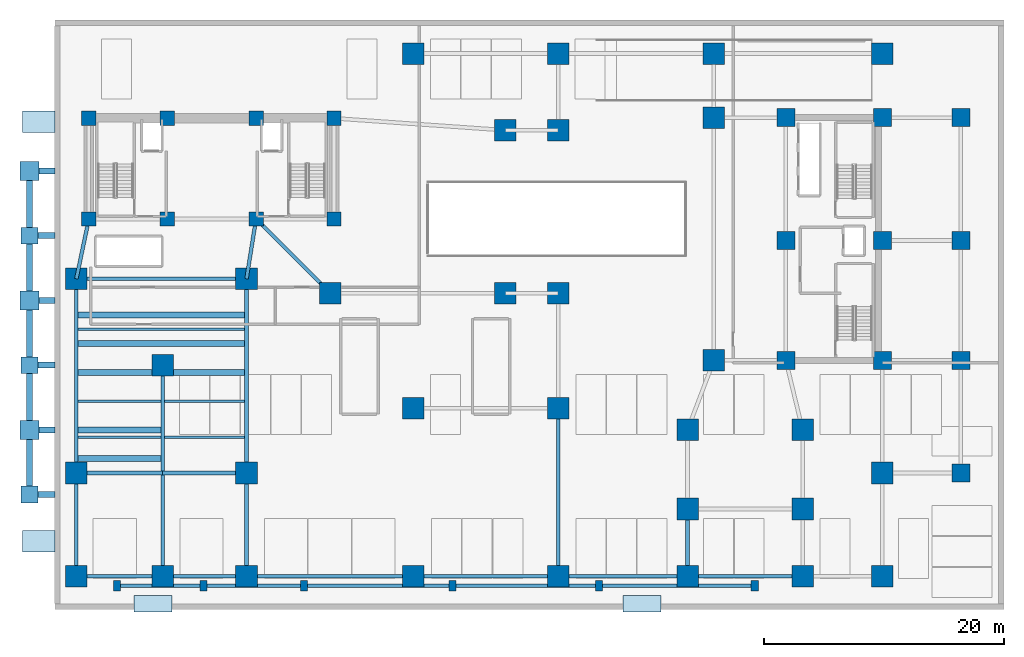
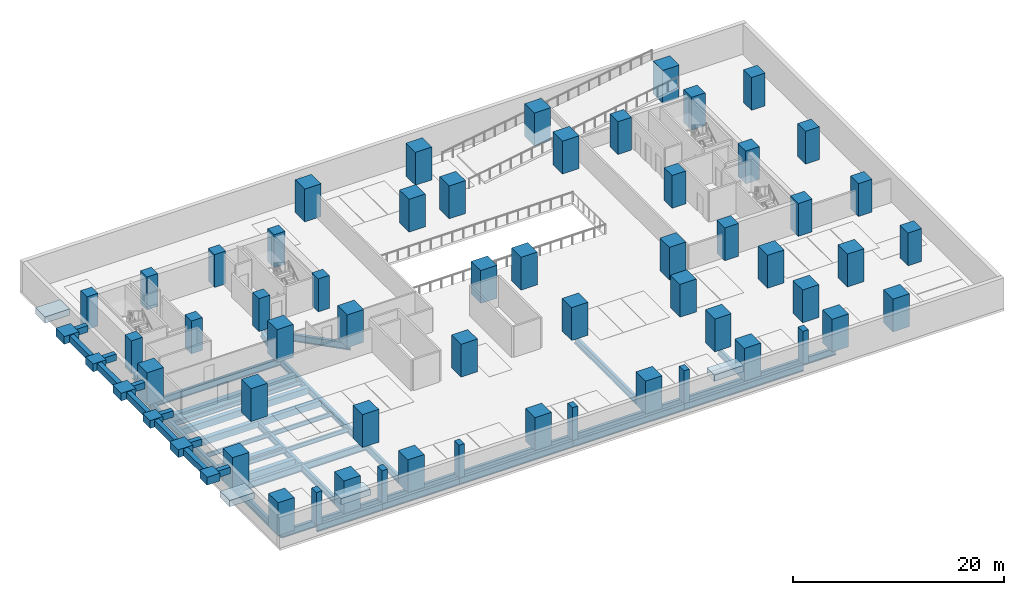
# One storey, part 1 of 9: 55 columns, 33 beams, 21 footings.
"""IFC4 building model written with IfcOpenShell, lengths in metres."""

import ifcopenshell
import ifcopenshell.guid

model = None  # the IFC model being written
_history = None  # IfcOwnerHistory: only IFC2X3 demands one
_inside = {}  # id of a spatial element -> (the spatial element, [elements in it])
_under = {}  # id of a project, library or spatial element -> (it, [spatial elements below it])
_declared = {}  # id of a project -> (the project, [libraries it declares])
_typed = {}  # id of a type object -> (the type object, [elements of that type])
_made_of = {}  # id of a material, layer set ... -> (it, [elements and type objects made of it])


def new_model(schema):
    """Start an empty IFC model of exactly this schema.

    Asked for "IFC4X3", IfcOpenShell would pick the latest addendum, in which some entities
    have other attributes; the version numbers below select the first issue.
    IFC2X3 requires an IfcOwnerHistory on every rooted entity: one is made here for all.
    """
    global model, _history
    if schema == "IFC4X3":
        model = ifcopenshell.file(schema_version=(4, 3, 0, 0))
    else:
        model = ifcopenshell.file(schema=schema)
    _inside.clear()
    _under.clear()
    _declared.clear()
    _typed.clear()
    _made_of.clear()
    _history = None
    if model.schema == "IFC2X3":
        org = make("IfcOrganization", Name="unknown")
        user = make(
            "IfcPersonAndOrganization",
            ThePerson=make("IfcPerson", FamilyName="unknown"),
            TheOrganization=org,
        )
        app = make(
            "IfcApplication",
            ApplicationDeveloper=org,
            Version="unknown",
            ApplicationFullName="unknown",
            ApplicationIdentifier="unknown",
        )
        _history = make(
            "IfcOwnerHistory",
            OwningUser=user,
            OwningApplication=app,
            ChangeAction="ADDED",
            CreationDate=0,
        )
    return model


def make(cls, **values):
    """One entity of the class cls with the attributes given. An attribute that is None is left unset."""
    return model.create_entity(
        cls, **{name: value for name, value in values.items() if value is not None}
    )


def rooted(cls, **values):
    """An entity with a GlobalId (a new one), such as an element, a storey or a relation."""
    return make(cls, GlobalId=ifcopenshell.guid.new(), OwnerHistory=_history, **values)


def si_unit(unit_type, name, prefix=None):
    """IfcSIUnit, for example si_unit("LENGTHUNIT", "METRE", prefix="MILLI")."""
    return make("IfcSIUnit", UnitType=unit_type, Prefix=prefix, Name=name)


def assignment(units):
    """IfcUnitAssignment: the units of a project."""
    return None if units is None else make("IfcUnitAssignment", Units=units)


def point(xyz):
    """IfcCartesianPoint."""
    return None if xyz is None else make("IfcCartesianPoint", Coordinates=xyz)


def direction(xyz):
    """IfcDirection."""
    return None if xyz is None else make("IfcDirection", DirectionRatios=xyz)


def frame(location, z_axis=None, x_axis=None):
    """IfcAxis2Placement3D, a coordinate frame: its origin and axes. An axis left out is left unset."""
    return make(
        "IfcAxis2Placement3D",
        Location=point(location),
        Axis=direction(z_axis),
        RefDirection=direction(x_axis),
    )


def frame_2d(location, x_axis=None):
    """IfcAxis2Placement2D, a coordinate frame in the plane: its origin and x axis."""
    return make(
        "IfcAxis2Placement2D", Location=point(location), RefDirection=direction(x_axis)
    )


def origin():
    """The frame at (0, 0, 0) with its axes left unset."""
    return frame((0.0, 0.0, 0.0))


def origin_2d():
    """The frame at (0, 0) in the plane with its x axis left unset."""
    return frame_2d((0.0, 0.0))


def place(relative_to, where):
    """IfcLocalPlacement: puts the frame where relative to a parent placement (None: the world)."""
    return make(
        "IfcLocalPlacement", PlacementRelTo=relative_to, RelativePlacement=where
    )


def context(
    kind, dimensions, precision=None, world=None, true_north=None, identifier=None
):
    """IfcGeometricRepresentationContext, for example the 3D "Model" context."""
    return make(
        "IfcGeometricRepresentationContext",
        ContextIdentifier=identifier,
        ContextType=kind,
        CoordinateSpaceDimension=dimensions,
        Precision=precision,
        WorldCoordinateSystem=world,
        TrueNorth=true_north,
    )


def subcontext(parent, identifier, kind, view, scale=None):
    """IfcGeometricRepresentationSubContext, for example "Body" below "Model"."""
    return make(
        "IfcGeometricRepresentationSubContext",
        ContextIdentifier=identifier,
        ContextType=kind,
        ParentContext=parent,
        TargetScale=scale,
        TargetView=view,
    )


def project(units=None, contexts=None):
    """IfcProject with its units and contexts."""
    return rooted(
        "IfcProject",
        Name="project",
        RepresentationContexts=contexts,
        UnitsInContext=assignment(units),
    )


def spatial(cls, under=None, at=None, **own):
    """A site, building, storey or space (cls), placed at a placement, below another one or the project."""
    s = rooted(cls, ObjectPlacement=at, **own)
    if under is not None:
        _under.setdefault(under.id(), (under, []))[1].append(s)
    return s


def profile(cls, at=None, kind="AREA", **sizes):
    """A parametric profile (cls). Its sizes go by their IFC names, for example OverallWidth=200.0."""
    return make(cls, ProfileType=kind, Position=at, **sizes)


def rectangle(**sizes):
    """IfcRectangleProfileDef."""
    return profile("IfcRectangleProfileDef", **sizes)


def i_section(**sizes):
    """IfcIShapeProfileDef."""
    return profile("IfcIShapeProfileDef", **sizes)


def extrude(swept, where, along, depth):
    """IfcExtrudedAreaSolid: the profile swept, set in the frame where, extruded along a direction by depth."""
    return make(
        "IfcExtrudedAreaSolid",
        SweptArea=swept,
        Position=where,
        ExtrudedDirection=direction(along),
        Depth=depth,
    )


def shape(context_of_items, identifier, shape_type, items):
    """IfcShapeRepresentation: the items that make up one representation, for example the "Body"."""
    return make(
        "IfcShapeRepresentation",
        ContextOfItems=context_of_items,
        RepresentationIdentifier=identifier,
        RepresentationType=shape_type,
        Items=items,
    )


def material(Name=None, Category=None):
    """IfcMaterial."""
    return make("IfcMaterial", Name=Name, Category=Category)


def layer(
    of_material, thickness, ventilated=None, Name=None, Category=None, Priority=None
):
    """IfcMaterialLayer: one layer of a wall or slab, of a material (None: an air gap)."""
    return make(
        "IfcMaterialLayer",
        Material=of_material,
        LayerThickness=thickness,
        IsVentilated=ventilated,
        Name=Name,
        Category=Category,
        Priority=Priority,
    )


def layer_set(layers, Name=None):
    """IfcMaterialLayerSet."""
    return make("IfcMaterialLayerSet", MaterialLayers=layers, LayerSetName=Name)


def material_profile(
    of_material, cross_section, Name=None, Category=None, Priority=None
):
    """IfcMaterialProfile: a cross section and its material."""
    return make(
        "IfcMaterialProfile",
        Name=Name,
        Material=of_material,
        Profile=cross_section,
        Priority=Priority,
        Category=Category,
    )


def profile_set(profiles, Name=None, composite=None):
    """IfcMaterialProfileSet."""
    return make(
        "IfcMaterialProfileSet",
        Name=Name,
        MaterialProfiles=profiles,
        CompositeProfile=composite,
    )


def made_of(thing, what):
    """Note that an element or type object is made of a material, layer set ...; save() writes the relation."""
    if what is not None:
        _made_of.setdefault(what.id(), (what, []))[1].append(thing)
    return thing


def type_object(cls, material=None, **own):
    """A type object (cls), such as IfcWallType, which elements share."""
    return made_of(rooted(cls, **own), material)


def element(
    cls,
    number,
    at=None,
    inside=None,
    cuts=None,
    type_object=None,
    material=None,
    context=None,
    identifier="Body",
    shape_type=None,
    held_by="IfcProductDefinitionShape",
    body=None,
    shapes=None,
    **own,
):
    """One element of the class cls, such as IfcWall. Its Tag is "e" and its number.

    at: its placement. inside: the storey or other place that contains it. cuts: it is an
    opening in that element (IfcRelVoidsElement). A single representation is given by context,
    identifier, shape_type and body (its items); several are given by shapes. held_by: the class
    of the entity that holds the representations. save() writes the other relations.
    """
    e = rooted(cls, Tag="e%d" % number, ObjectPlacement=at, **own)
    if body is not None:
        shapes = [shape(context, identifier, shape_type, body)]
    if shapes is not None:
        e.Representation = make(held_by, Representations=shapes)
    if inside is not None:
        _inside.setdefault(inside.id(), (inside, []))[1].append(e)
    if cuts is not None:
        rooted(
            "IfcRelVoidsElement", RelatingBuildingElement=cuts, RelatedOpeningElement=e
        )
    if type_object is not None:
        _typed.setdefault(type_object.id(), (type_object, []))[1].append(e)
    return made_of(e, material)


def aggregate(whole, parts):
    """IfcRelAggregates: a whole, such as a stair, and the parts it consists of."""
    return rooted("IfcRelAggregates", RelatingObject=whole, RelatedObjects=parts)


def save(model, path):
    """Write the relations noted so far, then the file.

    IfcRelAggregates (storeys below a building ...), IfcRelContainedInSpatialStructure (elements
    in a storey), IfcRelDefinesByType, IfcRelAssociatesMaterial and IfcRelDeclares: one each for
    every whole, place, type object, material and project.
    """
    for whole, parts in _under.values():
        aggregate(whole, parts)
    for where, things in _inside.values():
        rooted(
            "IfcRelContainedInSpatialStructure",
            RelatedElements=things,
            RelatingStructure=where,
        )
    for kind, things in _typed.values():
        rooted("IfcRelDefinesByType", RelatedObjects=things, RelatingType=kind)
    for what, things in _made_of.values():
        rooted("IfcRelAssociatesMaterial", RelatedObjects=things, RelatingMaterial=what)
    for by, libraries in _declared.values():
        rooted("IfcRelDeclares", RelatingContext=by, RelatedDefinitions=libraries)
    model.write(path)


model = new_model("IFC4")

# Units and contexts
model_context = context("Model", 3, precision=1e-05, world=origin(), true_north=direction((0.0, 1.0)))
body_context = subcontext(model_context, "Body", "Model", "MODEL_VIEW")
ifc_project = project(units=[si_unit("LENGTHUNIT", "METRE"), si_unit("AREAUNIT", "SQUARE_METRE"), si_unit("VOLUMEUNIT", "CUBIC_METRE"), si_unit("PLANEANGLEUNIT", "RADIAN"), si_unit("MASSUNIT", "GRAM", prefix="KILO")], contexts=[model_context])

# Site, building, storey
site_placement = place(None, origin())
site = spatial("IfcSite", under=ifc_project, at=site_placement, CompositionType="ELEMENT")
building_placement = place(site_placement, origin())
building = spatial("IfcBuilding", under=site, at=building_placement, Name="Kuzgunbayir Cultural Tower", CompositionType="ELEMENT")
storey_placement = place(building_placement, frame((0.0, 0.0, -3.800048828125)))
storey = spatial("IfcBuildingStorey", under=building, at=storey_placement, Name="B01", CompositionType="ELEMENT", Elevation=-3.800048828125)

# Footings
ifc_material_1 = material(Name="Concrete C40/50", Category="concrete")
ifc_material_profile_1 = material_profile(ifc_material_1, rectangle(XDim=0.5, YDim=0.75, at=origin_2d()), Name="RC 500x750")
ifc_profile_set_1 = profile_set([ifc_material_profile_1], Name="Concrete C40/50")
footing_type_1 = type_object("IfcFootingType", Name="FND-GB-500x750", PredefinedType="FOOTING_BEAM", material=ifc_profile_set_1)
footing_1_placement = place(storey_placement, frame((2.199951171875, 10.800048828125, 3.35009765625), z_axis=(1.0, 0.0, 0.0), x_axis=(0.0, 1.0, 0.0)))
element("IfcFooting", 1, at=footing_1_placement, inside=storey, type_object=footing_type_1, Name="Ground Tie Beam Transverse 1", PredefinedType="FOOTING_BEAM", context=body_context, shape_type="SweptSolid", body=[
    extrude(rectangle(XDim=0.5, YDim=0.75, at=origin_2d()), origin(), (0.0, 0.0, 1.0), 1.400146484375),
])
footing_2_placement = place(storey_placement, frame((2.300048828125, 16.199951171875, 3.35009765625), z_axis=(1.0, 0.0, 0.0), x_axis=(0.0, 1.0, 0.0)))
element("IfcFooting", 2, at=footing_2_placement, inside=storey, type_object=footing_type_1, Name="Ground Tie Beam Transverse 2", PredefinedType="FOOTING_BEAM", context=body_context, shape_type="SweptSolid", body=[
    extrude(rectangle(XDim=0.5, YDim=0.75, at=origin_2d()), origin(), (0.0, 0.0, 1.0), 1.300048828125),
])
footing_3_placement = place(storey_placement, frame((2.199951171875, 21.60009765625, 3.35009765625), z_axis=(1.0, 0.0, 0.0), x_axis=(0.0, 1.0, 0.0)))
element("IfcFooting", 3, at=footing_3_placement, inside=storey, type_object=footing_type_1, Name="Ground Tie Beam Transverse 3", PredefinedType="FOOTING_BEAM", context=body_context, shape_type="SweptSolid", body=[
    extrude(rectangle(XDim=0.5, YDim=0.75, at=origin_2d()), origin(), (0.0, 0.0, 1.0), 1.400146484375),
])
footing_4_placement = place(storey_placement, frame((2.300048828125, 27.0, 3.35009765625), z_axis=(1.0, 0.0, 0.0), x_axis=(0.0, 1.0, 0.0)))
element("IfcFooting", 4, at=footing_4_placement, inside=storey, type_object=footing_type_1, Name="Ground Tie Beam Transverse 4", PredefinedType="FOOTING_BEAM", context=body_context, shape_type="SweptSolid", body=[
    extrude(rectangle(XDim=0.5, YDim=0.75, at=origin_2d()), origin(), (0.0, 0.0, 1.0), 1.300048828125),
])
footing_5_placement = place(storey_placement, frame((2.199951171875, 32.39990234375, 3.35009765625), z_axis=(1.0, 0.0, 0.0), x_axis=(0.0, 1.0, 0.0)))
element("IfcFooting", 5, at=footing_5_placement, inside=storey, type_object=footing_type_1, Name="Ground Tie Beam Transverse 5", PredefinedType="FOOTING_BEAM", context=body_context, shape_type="SweptSolid", body=[
    extrude(rectangle(XDim=0.5, YDim=0.75, at=origin_2d()), origin(), (0.0, 0.0, 1.0), 1.400146484375),
])
footing_6_placement = place(storey_placement, frame((2.300048828125, 37.800048828125, 3.35009765625), z_axis=(1.0, 0.0, 0.0), x_axis=(0.0, 1.0, 0.0)))
element("IfcFooting", 6, at=footing_6_placement, inside=storey, type_object=footing_type_1, Name="Ground Tie Beam Transverse 6", PredefinedType="FOOTING_BEAM", context=body_context, shape_type="SweptSolid", body=[
    extrude(rectangle(XDim=0.5, YDim=0.75, at=origin_2d()), origin(), (0.0, 0.0, 1.0), 1.300048828125),
])
for number, where, z_axis, x_axis, name in (
    (7, (1.5, 11.5, 3.35009765625), (0.0, 1.0, 0.0), (-1.0, 0.0, 0.0), "Ground Tie Beam Longitudinal 1"),
    (8, (1.5, 17.0, 3.35009765625), (0.0, 1.0, 0.0), (-1.0, 0.0, 0.0), "Ground Tie Beam Longitudinal 2"),
    (9, (1.5, 22.300048828125, 3.35009765625), (0.0, 1.0, 0.0), (-1.0, 0.0, 0.0), "Ground Tie Beam Longitudinal 3"),
    (10, (1.5, 27.800048828125, 3.35009765625), (0.0, 1.0, 0.0), (-1.0, 0.0, 0.0), "Ground Tie Beam Longitudinal 4"),
    (11, (1.5, 33.10009765625, 3.35009765625), (0.0, 1.0, 0.0), (-1.0, 0.0, 0.0), "Ground Tie Beam Longitudinal 5"),
):
    element("IfcFooting", number, at=place(storey_placement, frame(where, z_axis=z_axis, x_axis=x_axis)), inside=storey, type_object=footing_type_1, Name=name, PredefinedType="FOOTING_BEAM", context=body_context, shape_type="SweptSolid", body=[
        extrude(rectangle(XDim=0.5, YDim=0.75, at=origin_2d()), origin(), (0.0, 0.0, 1.0), 3.89990234375),
    ])
ifc_layer_1 = layer(ifc_material_1, 0.89990234375)
ifc_layer_set_1 = layer_set([ifc_layer_1], Name="Concrete C40/50")
footing_type_2 = type_object("IfcFootingType", Name="FND-PAD-140", PredefinedType="PAD_FOOTING", material=ifc_layer_set_1)
for number, where, z_axis, x_axis, name in (
    (12, (1.5, 10.800048828125, 2.900146484375), (0.0, 0.0, 1.0), (1.0, 0.0, 0.0), "West Colonnade Pad Footing 1"),
    (13, (1.5, 21.60009765625, 2.900146484375), (0.0, 0.0, 1.0), (1.0, 0.0, 0.0), "West Colonnade Pad Footing 3"),
    (14, (1.5, 32.39990234375, 2.900146484375), (0.0, 0.0, 1.0), (1.0, 0.0, 0.0), "West Colonnade Pad Footing 5"),
):
    element("IfcFooting", number, at=place(storey_placement, frame(where, z_axis=z_axis, x_axis=x_axis)), inside=storey, type_object=footing_type_2, Name=name, PredefinedType="PAD_FOOTING", context=body_context, shape_type="SweptSolid", body=[
        extrude(rectangle(XDim=1.39990234375, YDim=1.39990234375, at=origin_2d()), origin(), (0.0, 0.0, 1.0), 0.89990234375),
    ])
ifc_layer_2 = layer(ifc_material_1, 0.949951171875)
ifc_layer_set_2 = layer_set([ifc_layer_2], Name="Concrete C40/50")
footing_type_3 = type_object("IfcFootingType", Name="FND-PAD-160", PredefinedType="PAD_FOOTING", material=ifc_layer_set_2)
for number, where, z_axis, x_axis, name in (
    (15, (1.5, 16.199951171875, 2.900146484375), (0.0, 0.0, 1.0), (1.0, 0.0, 0.0), "West Colonnade Pad Footing 2"),
    (16, (1.5, 27.0, 2.900146484375), (0.0, 0.0, 1.0), (1.0, 0.0, 0.0), "West Colonnade Pad Footing 4"),
    (17, (1.5, 37.800048828125, 2.900146484375), (0.0, 0.0, 1.0), (1.0, 0.0, 0.0), "West Colonnade Pad Footing 6"),
):
    element("IfcFooting", number, at=place(storey_placement, frame(where, z_axis=z_axis, x_axis=x_axis)), inside=storey, type_object=footing_type_3, Name=name, PredefinedType="PAD_FOOTING", context=body_context, shape_type="SweptSolid", body=[
        extrude(rectangle(XDim=1.60009765625, YDim=1.60009765625, at=origin_2d()), origin(), (0.0, 0.0, 1.0), 0.89990234375),
    ])
for number, where, z_axis, x_axis, name in (
    (18, (2.25, 6.89990234375, 2.83984375), (0.0, 0.0, 1.0), (1.0, 0.0, 0.0), "Accessible Ramp Grade Footing 1"),
    (19, (2.25, 41.89990234375, 2.83984375), (0.0, 0.0, 1.0), (1.0, 0.0, 0.0), "Accessible Ramp Grade Footing 2"),
):
    element("IfcFooting", number, at=place(storey_placement, frame(where, z_axis=z_axis, x_axis=x_axis)), inside=storey, type_object=footing_type_3, Name=name, PredefinedType="PAD_FOOTING", context=body_context, shape_type="SweptSolid", body=[
        extrude(rectangle(XDim=2.699951171875, YDim=1.800048828125, at=origin_2d()), origin(), (0.0, 0.0, 1.0), 0.719970703125),
    ])
for number, where, z_axis, x_axis, name in (
    (20, (11.800048828125, 1.699951171875, 2.83984375), (0.0, 0.0, 1.0), (1.0, 0.0, 0.0), "Accessible Ramp Grade Footing 3"),
    (21, (52.60009765625, 1.699951171875, 2.83984375), (0.0, 0.0, 1.0), (1.0, 0.0, 0.0), "Accessible Ramp Grade Footing 4"),
):
    element("IfcFooting", number, at=place(storey_placement, frame(where, z_axis=z_axis, x_axis=x_axis)), inside=storey, type_object=footing_type_3, Name=name, PredefinedType="PAD_FOOTING", context=body_context, shape_type="SweptSolid", body=[
        extrude(rectangle(XDim=3.199951171875, YDim=1.39990234375, at=origin_2d()), origin(), (0.0, 0.0, 1.0), 0.719970703125),
    ])

# Columns
ifc_material_2 = material(Name="Concrete C60/75", Category="concrete")
ifc_material_profile_2 = material_profile(ifc_material_2, rectangle(XDim=1.199951171875, YDim=1.199951171875, at=origin_2d()), Name="RC 1200x1200")
ifc_profile_set_2 = profile_set([ifc_material_profile_2], Name="Concrete C60/75")
column_type_1 = type_object("IfcColumnType", Name="COL-CORE-1200", PredefinedType="COLUMN", material=ifc_profile_set_2)
for number, where, z_axis, x_axis, name in (
    (22, (6.449951171875, 33.800048828125, 0.0), (0.0, 0.0, 1.0), (1.0, 0.0, 0.0), "B01 T1 Core Boundary Column CC1-1"),
    (23, (13.0, 33.800048828125, 0.0), (0.0, 0.0, 1.0), (1.0, 0.0, 0.0), "B01 T1 Core Boundary Column CC1-2"),
    (24, (20.39990234375, 33.800048828125, 0.0), (0.0, 0.0, 1.0), (1.0, 0.0, 0.0), "B01 T1 Core Boundary Column CC1-3"),
    (25, (26.89990234375, 33.800048828125, 0.0), (0.0, 0.0, 1.0), (1.0, 0.0, 0.0), "B01 T1 Core Boundary Column CC1-4"),
    (26, (6.449951171875, 42.199951171875, 0.0), (0.0, 0.0, 1.0), (1.0, 0.0, 0.0), "B01 T1 Core Boundary Column CC1-5"),
    (27, (13.0, 42.199951171875, 0.0), (0.0, 0.0, 1.0), (1.0, 0.0, 0.0), "B01 T1 Core Boundary Column CC1-6"),
    (28, (20.39990234375, 42.199951171875, 0.0), (0.0, 0.0, 1.0), (1.0, 0.0, 0.0), "B01 T1 Core Boundary Column CC1-7"),
    (29, (26.89990234375, 42.199951171875, 0.0), (0.0, 0.0, 1.0), (1.0, 0.0, 0.0), "B01 T1 Core Boundary Column CC1-8"),
):
    element("IfcColumn", number, at=place(storey_placement, frame(where, z_axis=z_axis, x_axis=x_axis)), inside=storey, type_object=column_type_1, Name=name, PredefinedType="COLUMN", context=body_context, shape_type="SweptSolid", body=[
        extrude(rectangle(XDim=1.199951171875, YDim=1.199951171875, at=origin_2d()), origin(), (0.0, 0.0, 1.0), 3.800048828125),
    ])
ifc_material_profile_3 = material_profile(ifc_material_2, rectangle(XDim=1.5, YDim=1.5, at=origin_2d()), Name="RC 1500x1500")
ifc_profile_set_3 = profile_set([ifc_material_profile_3], Name="Concrete C60/75")
column_type_2 = type_object("IfcColumnType", Name="COL-MEGA-1500", PredefinedType="COLUMN", material=ifc_profile_set_3)
for number, where, z_axis, x_axis, name in (
    (30, (64.60009765625, 22.0, 0.0), (0.0, 0.0, 1.0), (1.0, 0.0, 0.0), "B01 T2 Core Boundary Column CC2-1"),
    (31, (72.64990234375, 22.0, 0.0), (0.0, 0.0, 1.0), (1.0, 0.0, 0.0), "B01 T2 Core Boundary Column CC2-2"),
    (32, (64.60009765625, 32.0, 0.0), (0.0, 0.0, 1.0), (1.0, 0.0, 0.0), "B01 T2 Core Boundary Column CC2-3"),
    (33, (72.64990234375, 32.0, 0.0), (0.0, 0.0, 1.0), (1.0, 0.0, 0.0), "B01 T2 Core Boundary Column CC2-4"),
    (34, (64.60009765625, 42.25, 0.0), (0.0, 0.0, 1.0), (1.0, 0.0, 0.0), "B01 T2 Core Boundary Column CC2-5"),
    (35, (72.64990234375, 42.25, 0.0), (0.0, 0.0, 1.0), (1.0, 0.0, 0.0), "B01 T2 Core Boundary Column CC2-6"),
    (36, (79.199951171875, 12.60009765625, 0.0), (0.0, 0.0, 1.0), (1.0, 0.0, 0.0), "B01 East Substructure Column 1"),
    (37, (79.199951171875, 22.0, 0.0), (0.0, 0.0, 1.0), (1.0, 0.0, 0.0), "B01 East Substructure Column 2"),
    (38, (79.199951171875, 32.0, 0.0), (0.0, 0.0, 1.0), (1.0, 0.0, 0.0), "B01 East Substructure Column 3"),
    (39, (79.199951171875, 42.25, 0.0), (0.0, 0.0, 1.0), (1.0, 0.0, 0.0), "B01 East Substructure Column 4"),
):
    element("IfcColumn", number, at=place(storey_placement, frame(where, z_axis=z_axis, x_axis=x_axis)), inside=storey, type_object=column_type_2, Name=name, PredefinedType="COLUMN", context=body_context, shape_type="SweptSolid", body=[
        extrude(rectangle(XDim=1.5, YDim=1.5, at=origin_2d()), origin(), (0.0, 0.0, 1.0), 3.800048828125),
    ])
ifc_material_profile_4 = material_profile(ifc_material_2, rectangle(XDim=1.800048828125, YDim=1.800048828125, at=origin_2d()), Name="RC 1800x1800")
ifc_profile_set_4 = profile_set([ifc_material_profile_4], Name="Concrete C60/75")
column_type_3 = type_object("IfcColumnType", Name="COL-MEGA-1800", PredefinedType="COLUMN", material=ifc_profile_set_4)
for number, where, z_axis, x_axis, name in (
    (40, (5.39990234375, 12.60009765625, 0.0), (0.0, 0.0, 1.0), (1.0, 0.0, 0.0), "B01 Podium Mega-Column PC-T1A-SW"),
    (41, (19.60009765625, 12.60009765625, 0.0), (0.0, 0.0, 1.0), (1.0, 0.0, 0.0), "B01 Podium Mega-Column PC-T1A-SE"),
    (42, (5.39990234375, 28.800048828125, 0.0), (0.0, 0.0, 1.0), (1.0, 0.0, 0.0), "B01 Podium Mega-Column PC-T1A-NW"),
    (43, (19.60009765625, 28.800048828125, 0.0), (0.0, 0.0, 1.0), (1.0, 0.0, 0.0), "B01 Podium Mega-Column PC-T1A-NE"),
    (44, (26.60009765625, 27.60009765625, 0.0), (0.0, 0.0, 1.0), (1.0, 0.0, 0.0), "B01 Podium Mega-Column PC-T1B-1S"),
    (45, (41.199951171875, 27.60009765625, 0.0), (0.0, 0.0, 1.0), (1.0, 0.0, 0.0), "B01 Podium Mega-Column PC-T1B-4S"),
    (46, (45.60009765625, 27.60009765625, 0.0), (0.0, 0.0, 1.0), (1.0, 0.0, 0.0), "B01 Podium Mega-Column PC-T1B-5S"),
    (47, (41.199951171875, 41.199951171875, 0.0), (0.0, 0.0, 1.0), (1.0, 0.0, 0.0), "B01 Podium Mega-Column PC-T1B-4N"),
    (48, (45.60009765625, 41.199951171875, 0.0), (0.0, 0.0, 1.0), (1.0, 0.0, 0.0), "B01 Podium Mega-Column PC-T1B-5N"),
    (49, (58.60009765625, 22.0, 0.0), (0.0, 0.0, 1.0), (1.0, 0.0, 0.0), "B01 Podium Mega-Column PC-T2A-SW"),
    (50, (58.60009765625, 42.25, 0.0), (0.0, 0.0, 1.0), (1.0, 0.0, 0.0), "B01 Podium Mega-Column PC-T2A-NW"),
    (51, (56.39990234375, 9.60009765625, 0.0), (0.0, 0.0, 1.0), (1.0, 0.0, 0.0), "B01 Podium Mega-Column PC-T2B-SW"),
    (52, (66.0, 9.60009765625, 0.0), (0.0, 0.0, 1.0), (1.0, 0.0, 0.0), "B01 Podium Mega-Column PC-T2B-SE"),
    (53, (56.39990234375, 16.199951171875, 0.0), (0.0, 0.0, 1.0), (1.0, 0.0, 0.0), "B01 Podium Mega-Column PC-T2B-MW"),
    (54, (66.0, 16.199951171875, 0.0), (0.0, 0.0, 1.0), (1.0, 0.0, 0.0), "B01 Podium Mega-Column PC-T2B-ME"),
    (55, (5.39990234375, 4.0, 0.0), (0.0, 0.0, 1.0), (1.0, 0.0, 0.0), "B01 Podium Mega-Column PC-P01"),
    (56, (12.60009765625, 4.0, 0.0), (0.0, 0.0, 1.0), (1.0, 0.0, 0.0), "B01 Podium Mega-Column PC-P02"),
    (57, (19.60009765625, 4.0, 0.0), (0.0, 0.0, 1.0), (1.0, 0.0, 0.0), "B01 Podium Mega-Column PC-P03"),
    (58, (33.5, 4.0, 0.0), (0.0, 0.0, 1.0), (1.0, 0.0, 0.0), "B01 Podium Mega-Column PC-P04"),
    (59, (45.60009765625, 4.0, 0.0), (0.0, 0.0, 1.0), (1.0, 0.0, 0.0), "B01 Podium Mega-Column PC-P05"),
    (60, (56.39990234375, 4.0, 0.0), (0.0, 0.0, 1.0), (1.0, 0.0, 0.0), "B01 Podium Mega-Column PC-P06"),
    (61, (66.0, 4.0, 0.0), (0.0, 0.0, 1.0), (1.0, 0.0, 0.0), "B01 Podium Mega-Column PC-P07"),
    (62, (72.64990234375, 4.0, 0.0), (0.0, 0.0, 1.0), (1.0, 0.0, 0.0), "B01 Podium Mega-Column PC-P08"),
    (63, (12.60009765625, 21.60009765625, 0.0), (0.0, 0.0, 1.0), (1.0, 0.0, 0.0), "B01 Podium Mega-Column PC-P09"),
    (64, (33.5, 18.0, 0.0), (0.0, 0.0, 1.0), (1.0, 0.0, 0.0), "B01 Podium Mega-Column PC-P10"),
    (65, (45.60009765625, 18.0, 0.0), (0.0, 0.0, 1.0), (1.0, 0.0, 0.0), "B01 Podium Mega-Column PC-P11"),
    (66, (72.64990234375, 12.60009765625, 0.0), (0.0, 0.0, 1.0), (1.0, 0.0, 0.0), "B01 Podium Mega-Column PC-P12"),
    (67, (33.5, 47.60009765625, 0.0), (0.0, 0.0, 1.0), (1.0, 0.0, 0.0), "B01 Podium Mega-Column PC-P13"),
    (68, (45.60009765625, 47.60009765625, 0.0), (0.0, 0.0, 1.0), (1.0, 0.0, 0.0), "B01 Podium Mega-Column PC-P14"),
    (69, (58.60009765625, 47.60009765625, 0.0), (0.0, 0.0, 1.0), (1.0, 0.0, 0.0), "B01 Podium Mega-Column PC-P15"),
    (70, (72.64990234375, 47.60009765625, 0.0), (0.0, 0.0, 1.0), (1.0, 0.0, 0.0), "B01 Podium Mega-Column PC-P16"),
):
    element("IfcColumn", number, at=place(storey_placement, frame(where, z_axis=z_axis, x_axis=x_axis)), inside=storey, type_object=column_type_3, Name=name, PredefinedType="COLUMN", context=body_context, shape_type="SweptSolid", body=[
        extrude(rectangle(XDim=1.800048828125, YDim=1.800048828125, at=origin_2d()), origin(), (0.0, 0.0, 1.0), 3.800048828125),
    ])
ifc_material_profile_5 = material_profile(ifc_material_2, rectangle(XDim=0.60009765625, YDim=0.89990234375, at=origin_2d()), Name="RC 600x900")
ifc_profile_set_5 = profile_set([ifc_material_profile_5], Name="Concrete C60/75")
column_type_4 = type_object("IfcColumnType", Name="COL-PILASTER-INT", PredefinedType="PILASTER", material=ifc_profile_set_5)
for number, where, z_axis, x_axis, name in (
    (71, (8.800048828125, 3.199951171875, 0.0), (0.0, 0.0, 1.0), (1.0, 0.0, 0.0), "B01 South Facade Pilaster 1"),
    (72, (16.0, 3.199951171875, 0.0), (0.0, 0.0, 1.0), (1.0, 0.0, 0.0), "B01 South Facade Pilaster 2"),
    (73, (24.39990234375, 3.199951171875, 0.0), (0.0, 0.0, 1.0), (1.0, 0.0, 0.0), "B01 South Facade Pilaster 3"),
    (74, (36.800048828125, 3.199951171875, 0.0), (0.0, 0.0, 1.0), (1.0, 0.0, 0.0), "B01 South Facade Pilaster 4"),
    (75, (49.0, 3.199951171875, 0.0), (0.0, 0.0, 1.0), (1.0, 0.0, 0.0), "B01 South Facade Pilaster 5"),
    (76, (62.0, 3.199951171875, 0.0), (0.0, 0.0, 1.0), (1.0, 0.0, 0.0), "B01 South Facade Pilaster 6"),
):
    element("IfcColumn", number, at=place(storey_placement, frame(where, z_axis=z_axis, x_axis=x_axis)), inside=storey, type_object=column_type_4, Name=name, PredefinedType="PILASTER", context=body_context, shape_type="SweptSolid", body=[
        extrude(rectangle(XDim=0.60009765625, YDim=0.89990234375, at=origin_2d()), origin(), (0.0, 0.0, 1.0), 3.800048828125),
    ])

# Beams
ifc_material_3 = material(Name="Steel S460M", Category="steel")
ifc_material_profile_6 = material_profile(ifc_material_3, i_section(OverallWidth=0.302978515625, OverallDepth=0.81396484375, WebThickness=0.02099609375, FlangeThickness=0.0400390625, FilletRadius=0.030029296875, at=origin_2d()), Name="HEM 800")
ifc_profile_set_6 = profile_set([ifc_material_profile_6], Name="Steel S460M")
beam_type_1 = type_object("IfcBeamType", Name="BM-GIR-HEM800", PredefinedType="BEAM", material=ifc_profile_set_6)
beam_1_placement = place(storey_placement, frame((5.39990234375, 4.0, -0.659912109375), z_axis=(1.0, 0.0, 0.0), x_axis=(0.0, 1.0, 0.0)))
element("IfcBeam", 77, at=beam_1_placement, inside=storey, type_object=beam_type_1, Name="B01 Podium South Girder 1", PredefinedType="BEAM", context=body_context, shape_type="SweptSolid", body=[
    extrude(i_section(OverallWidth=0.302978515625, OverallDepth=0.81396484375, WebThickness=0.02099609375, FlangeThickness=0.0400390625, FilletRadius=0.030029296875, at=origin_2d()), origin(), (0.0, 0.0, 1.0), 7.2001953125),
])
beam_2_placement = place(storey_placement, frame((12.60009765625, 4.0, -0.659912109375), z_axis=(1.0, 0.0, 0.0), x_axis=(0.0, 1.0, 0.0)))
element("IfcBeam", 78, at=beam_2_placement, inside=storey, type_object=beam_type_1, Name="B01 Podium South Girder 2", PredefinedType="BEAM", context=body_context, shape_type="SweptSolid", body=[
    extrude(i_section(OverallWidth=0.302978515625, OverallDepth=0.81396484375, WebThickness=0.02099609375, FlangeThickness=0.0400390625, FilletRadius=0.030029296875, at=origin_2d()), origin(), (0.0, 0.0, 1.0), 7.0),
])
beam_3_placement = place(storey_placement, frame((19.60009765625, 4.0, -0.659912109375), z_axis=(1.0, 0.0, 0.0), x_axis=(0.0, 1.0, 0.0)))
element("IfcBeam", 79, at=beam_3_placement, inside=storey, type_object=beam_type_1, Name="B01 Podium South Girder 3", PredefinedType="BEAM", context=body_context, shape_type="SweptSolid", body=[
    extrude(i_section(OverallWidth=0.302978515625, OverallDepth=0.81396484375, WebThickness=0.02099609375, FlangeThickness=0.0400390625, FilletRadius=0.030029296875, at=origin_2d()), origin(), (0.0, 0.0, 1.0), 13.89990234375),
])
beam_4_placement = place(storey_placement, frame((33.5, 4.0, -0.659912109375), z_axis=(1.0, 0.0, 0.0), x_axis=(0.0, 1.0, 0.0)))
element("IfcBeam", 80, at=beam_4_placement, inside=storey, type_object=beam_type_1, Name="B01 Podium South Girder 4", PredefinedType="BEAM", context=body_context, shape_type="SweptSolid", body=[
    extrude(i_section(OverallWidth=0.302978515625, OverallDepth=0.81396484375, WebThickness=0.02099609375, FlangeThickness=0.0400390625, FilletRadius=0.030029296875, at=origin_2d()), origin(), (0.0, 0.0, 1.0), 12.10009765625),
])
beam_5_placement = place(storey_placement, frame((45.60009765625, 4.0, -0.659912109375), z_axis=(1.0, 0.0, 0.0), x_axis=(0.0, 1.0, 0.0)))
element("IfcBeam", 81, at=beam_5_placement, inside=storey, type_object=beam_type_1, Name="B01 Podium South Girder 5", PredefinedType="BEAM", context=body_context, shape_type="SweptSolid", body=[
    extrude(i_section(OverallWidth=0.302978515625, OverallDepth=0.81396484375, WebThickness=0.02099609375, FlangeThickness=0.0400390625, FilletRadius=0.030029296875, at=origin_2d()), origin(), (0.0, 0.0, 1.0), 10.7998046875),
])
beam_6_placement = place(storey_placement, frame((56.39990234375, 4.0, -0.659912109375), z_axis=(1.0, 0.0, 0.0), x_axis=(0.0, 1.0, 0.0)))
element("IfcBeam", 82, at=beam_6_placement, inside=storey, type_object=beam_type_1, Name="B01 Podium South Girder 6", PredefinedType="BEAM", context=body_context, shape_type="SweptSolid", body=[
    extrude(i_section(OverallWidth=0.302978515625, OverallDepth=0.81396484375, WebThickness=0.02099609375, FlangeThickness=0.0400390625, FilletRadius=0.030029296875, at=origin_2d()), origin(), (0.0, 0.0, 1.0), 9.60009765625),
])
beam_7_placement = place(storey_placement, frame((8.800048828125, 3.199951171875, -0.659912109375), z_axis=(1.0, 0.0, 0.0), x_axis=(0.0, 1.0, 0.0)))
element("IfcBeam", 83, at=beam_7_placement, inside=storey, type_object=beam_type_1, Name="B01 South Edge Girder 1", PredefinedType="BEAM", context=body_context, shape_type="SweptSolid", body=[
    extrude(i_section(OverallWidth=0.302978515625, OverallDepth=0.81396484375, WebThickness=0.02099609375, FlangeThickness=0.0400390625, FilletRadius=0.030029296875, at=origin_2d()), origin(), (0.0, 0.0, 1.0), 7.199951171875),
])
beam_8_placement = place(storey_placement, frame((16.0, 3.199951171875, -0.659912109375), z_axis=(1.0, 0.0, 0.0), x_axis=(0.0, 1.0, 0.0)))
element("IfcBeam", 84, at=beam_8_placement, inside=storey, type_object=beam_type_1, Name="B01 South Edge Girder 2", PredefinedType="BEAM", context=body_context, shape_type="SweptSolid", body=[
    extrude(i_section(OverallWidth=0.302978515625, OverallDepth=0.81396484375, WebThickness=0.02099609375, FlangeThickness=0.0400390625, FilletRadius=0.030029296875, at=origin_2d()), origin(), (0.0, 0.0, 1.0), 8.39990234375),
])
beam_9_placement = place(storey_placement, frame((24.39990234375, 3.199951171875, -0.659912109375), z_axis=(1.0, 0.0, 0.0), x_axis=(0.0, 1.0, 0.0)))
element("IfcBeam", 85, at=beam_9_placement, inside=storey, type_object=beam_type_1, Name="B01 South Edge Girder 3", PredefinedType="BEAM", context=body_context, shape_type="SweptSolid", body=[
    extrude(i_section(OverallWidth=0.302978515625, OverallDepth=0.81396484375, WebThickness=0.02099609375, FlangeThickness=0.0400390625, FilletRadius=0.030029296875, at=origin_2d()), origin(), (0.0, 0.0, 1.0), 12.400146484375),
])
beam_10_placement = place(storey_placement, frame((36.800048828125, 3.199951171875, -0.659912109375), z_axis=(1.0, 0.0, 0.0), x_axis=(0.0, 1.0, 0.0)))
element("IfcBeam", 86, at=beam_10_placement, inside=storey, type_object=beam_type_1, Name="B01 South Edge Girder 4", PredefinedType="BEAM", context=body_context, shape_type="SweptSolid", body=[
    extrude(i_section(OverallWidth=0.302978515625, OverallDepth=0.81396484375, WebThickness=0.02099609375, FlangeThickness=0.0400390625, FilletRadius=0.030029296875, at=origin_2d()), origin(), (0.0, 0.0, 1.0), 12.199951171875),
])
beam_11_placement = place(storey_placement, frame((49.0, 3.199951171875, -0.659912109375), z_axis=(1.0, 0.0, 0.0), x_axis=(0.0, 1.0, 0.0)))
element("IfcBeam", 87, at=beam_11_placement, inside=storey, type_object=beam_type_1, Name="B01 South Edge Girder 5", PredefinedType="BEAM", context=body_context, shape_type="SweptSolid", body=[
    extrude(i_section(OverallWidth=0.302978515625, OverallDepth=0.81396484375, WebThickness=0.02099609375, FlangeThickness=0.0400390625, FilletRadius=0.030029296875, at=origin_2d()), origin(), (0.0, 0.0, 1.0), 13.0),
])
beam_12_placement = place(storey_placement, frame((5.39990234375, 12.60009765625, -0.659912109375), z_axis=(1.0, 0.0, 0.0), x_axis=(0.0, 1.0, 0.0)))
element("IfcBeam", 88, at=beam_12_placement, inside=storey, type_object=beam_type_1, Name="B01 Podium Primary Girder 1", PredefinedType="BEAM", context=body_context, shape_type="SweptSolid", body=[
    extrude(i_section(OverallWidth=0.302978515625, OverallDepth=0.81396484375, WebThickness=0.02099609375, FlangeThickness=0.0400390625, FilletRadius=0.030029296875, at=origin_2d()), origin(), (0.0, 0.0, 1.0), 7.2001953125),
])
beam_13_placement = place(storey_placement, frame((12.60009765625, 12.60009765625, -0.659912109375), z_axis=(1.0, 0.0, 0.0), x_axis=(0.0, 1.0, 0.0)))
element("IfcBeam", 89, at=beam_13_placement, inside=storey, type_object=beam_type_1, Name="B01 Podium Primary Girder 2", PredefinedType="BEAM", context=body_context, shape_type="SweptSolid", body=[
    extrude(i_section(OverallWidth=0.302978515625, OverallDepth=0.81396484375, WebThickness=0.02099609375, FlangeThickness=0.0400390625, FilletRadius=0.030029296875, at=origin_2d()), origin(), (0.0, 0.0, 1.0), 7.0),
])
beam_14_placement = place(storey_placement, frame((5.39990234375, 28.800048828125, -0.659912109375), z_axis=(1.0, 0.0, 0.0), x_axis=(0.0, 1.0, 0.0)))
element("IfcBeam", 90, at=beam_14_placement, inside=storey, type_object=beam_type_1, Name="B01 Podium Primary Girder 3", PredefinedType="BEAM", context=body_context, shape_type="SweptSolid", body=[
    extrude(i_section(OverallWidth=0.302978515625, OverallDepth=0.81396484375, WebThickness=0.02099609375, FlangeThickness=0.0400390625, FilletRadius=0.030029296875, at=origin_2d()), origin(), (0.0, 0.0, 1.0), 14.2001953125),
])
for number, where, z_axis, x_axis, name in (
    (91, (5.39990234375, 12.60009765625, -0.659912109375), (0.0, 1.0, 0.0), (-1.0, 0.0, 0.0), "B01 Podium Primary Girder 4"),
    (92, (19.60009765625, 12.60009765625, -0.659912109375), (0.0, 1.0, 0.0), (-1.0, 0.0, 0.0), "B01 Podium Primary Girder 5"),
):
    element("IfcBeam", number, at=place(storey_placement, frame(where, z_axis=z_axis, x_axis=x_axis)), inside=storey, type_object=beam_type_1, Name=name, PredefinedType="BEAM", context=body_context, shape_type="SweptSolid", body=[
        extrude(i_section(OverallWidth=0.302978515625, OverallDepth=0.81396484375, WebThickness=0.02099609375, FlangeThickness=0.0400390625, FilletRadius=0.030029296875, at=origin_2d()), origin(), (0.0, 0.0, 1.0), 16.199951171875),
    ])
beam_15_placement = place(storey_placement, frame((12.60009765625, 12.60009765625, -0.659912109375), z_axis=(0.0, 1.0, 0.0), x_axis=(-1.0, 0.0, 0.0)))
element("IfcBeam", 93, at=beam_15_placement, inside=storey, type_object=beam_type_1, Name="B01 Podium Primary Girder 6", PredefinedType="BEAM", context=body_context, shape_type="SweptSolid", body=[
    extrude(i_section(OverallWidth=0.302978515625, OverallDepth=0.81396484375, WebThickness=0.02099609375, FlangeThickness=0.0400390625, FilletRadius=0.030029296875, at=origin_2d()), origin(), (0.0, 0.0, 1.0), 9.0),
])
beam_16_placement = place(storey_placement, frame((5.39990234375, 28.800048828125, -0.659912109375), z_axis=(0.205526387753, 0.978651574329, 0.0), x_axis=(-0.978651574329, 0.205526387753, 0.0)))
element("IfcBeam", 94, at=beam_16_placement, inside=storey, type_object=beam_type_1, Name="B01 Podium Primary Girder 7", PredefinedType="BEAM", context=body_context, shape_type="SweptSolid", body=[
    extrude(i_section(OverallWidth=0.302978515625, OverallDepth=0.81396484375, WebThickness=0.02099609375, FlangeThickness=0.0400390625, FilletRadius=0.030029296875, at=origin_2d()), origin(), (0.0, 0.0, 1.0), 5.109130859375),
])
beam_17_placement = place(storey_placement, frame((19.60009765625, 28.800048828125, -0.659912109375), z_axis=(0.157952891656, 0.987446648694, 0.0), x_axis=(-0.987446648694, 0.157952891656, 0.0)))
element("IfcBeam", 95, at=beam_17_placement, inside=storey, type_object=beam_type_1, Name="B01 Podium Primary Girder 8", PredefinedType="BEAM", context=body_context, shape_type="SweptSolid", body=[
    extrude(i_section(OverallWidth=0.302978515625, OverallDepth=0.81396484375, WebThickness=0.02099609375, FlangeThickness=0.0400390625, FilletRadius=0.030029296875, at=origin_2d()), origin(), (0.0, 0.0, 1.0), 5.0634765625),
])
beam_18_placement = place(storey_placement, frame((20.39990234375, 33.800048828125, -0.659912109375), z_axis=(0.707120702941, -0.707092859158, 0.0), x_axis=(0.707092859158, 0.707120702941, 0.0)))
element("IfcBeam", 96, at=beam_18_placement, inside=storey, type_object=beam_type_1, Name="B01 Podium Primary Girder 9", PredefinedType="BEAM", context=body_context, shape_type="SweptSolid", body=[
    extrude(i_section(OverallWidth=0.302978515625, OverallDepth=0.81396484375, WebThickness=0.02099609375, FlangeThickness=0.0400390625, FilletRadius=0.030029296875, at=origin_2d()), origin(), (0.0, 0.0, 1.0), 8.768310546875),
])
for number, where, z_axis, x_axis, name in (
    (97, (5.39990234375, 4.0, -0.659912109375), (0.0, 1.0, 0.0), (-1.0, 0.0, 0.0), "B01 Podium Primary Girder 33"),
    (98, (12.60009765625, 4.0, -0.659912109375), (0.0, 1.0, 0.0), (-1.0, 0.0, 0.0), "B01 Podium Primary Girder 34"),
    (99, (19.60009765625, 4.0, -0.659912109375), (0.0, 1.0, 0.0), (-1.0, 0.0, 0.0), "B01 Podium Primary Girder 35"),
):
    element("IfcBeam", number, at=place(storey_placement, frame(where, z_axis=z_axis, x_axis=x_axis)), inside=storey, type_object=beam_type_1, Name=name, PredefinedType="BEAM", context=body_context, shape_type="SweptSolid", body=[
        extrude(i_section(OverallWidth=0.302978515625, OverallDepth=0.81396484375, WebThickness=0.02099609375, FlangeThickness=0.0400390625, FilletRadius=0.030029296875, at=origin_2d()), origin(), (0.0, 0.0, 1.0), 8.60009765625),
    ])
beam_19_placement = place(storey_placement, frame((45.60009765625, 4.0, -0.659912109375), z_axis=(0.0, 1.0, 0.0), x_axis=(-1.0, 0.0, 0.0)))
element("IfcBeam", 100, at=beam_19_placement, inside=storey, type_object=beam_type_1, Name="B01 Podium Primary Girder 36", PredefinedType="BEAM", context=body_context, shape_type="SweptSolid", body=[
    extrude(i_section(OverallWidth=0.302978515625, OverallDepth=0.81396484375, WebThickness=0.02099609375, FlangeThickness=0.0400390625, FilletRadius=0.030029296875, at=origin_2d()), origin(), (0.0, 0.0, 1.0), 14.0),
])
beam_20_placement = place(storey_placement, frame((56.39990234375, 4.0, -0.659912109375), z_axis=(0.0, 1.0, 0.0), x_axis=(-1.0, 0.0, 0.0)))
element("IfcBeam", 101, at=beam_20_placement, inside=storey, type_object=beam_type_1, Name="B01 Podium Primary Girder 37", PredefinedType="BEAM", context=body_context, shape_type="SweptSolid", body=[
    extrude(i_section(OverallWidth=0.302978515625, OverallDepth=0.81396484375, WebThickness=0.02099609375, FlangeThickness=0.0400390625, FilletRadius=0.030029296875, at=origin_2d()), origin(), (0.0, 0.0, 1.0), 5.60009765625),
])
ifc_material_4 = material(Name="Steel S355J2", Category="steel")
ifc_material_profile_7 = material_profile(ifc_material_4, i_section(OverallWidth=0.199951171875, OverallDepth=0.5, WebThickness=0.01025390625, FlangeThickness=0.01611328125, FilletRadius=0.02099609375, at=origin_2d()), Name="IPE 500")
ifc_profile_set_7 = profile_set([ifc_material_profile_7], Name="Steel S355J2")
beam_type_2 = type_object("IfcBeamType", Name="BM-JST-IPE500", PredefinedType="JOIST", material=ifc_profile_set_7)
for number, where, z_axis, x_axis, name in (
    (102, (5.550048828125, 15.60009765625, -0.5), (1.0, 0.0, 0.0), (0.0, 1.0, 0.0), "B01 Podium Joist A"),
    (103, (5.550048828125, 18.60009765625, -0.5), (1.0, 0.0, 0.0), (0.0, 1.0, 0.0), "B01 Podium Joist A"),
    (104, (5.550048828125, 24.60009765625, -0.5), (1.0, 0.0, 0.0), (0.0, 1.0, 0.0), "B01 Podium Joist A"),
):
    element("IfcBeam", number, at=place(storey_placement, frame(where, z_axis=z_axis, x_axis=x_axis)), inside=storey, type_object=beam_type_2, Name=name, PredefinedType="JOIST", context=body_context, shape_type="SweptSolid", body=[
        extrude(i_section(OverallWidth=0.199951171875, OverallDepth=0.5, WebThickness=0.01025390625, FlangeThickness=0.01611328125, FilletRadius=0.02099609375, at=origin_2d()), origin(), (0.0, 0.0, 1.0), 13.89990234375),
    ])
ifc_material_profile_8 = material_profile(ifc_material_1, rectangle(XDim=0.5, YDim=0.75, at=origin_2d()), Name="RC 500x750")
ifc_profile_set_8 = profile_set([ifc_material_profile_8], Name="Concrete C40/50")
beam_type_3 = type_object("IfcBeamType", Name="BM-RIB-RC500x750", PredefinedType="T_BEAM", material=ifc_profile_set_8)
for number, where, z_axis, x_axis, name in (
    (105, (5.550048828125, 13.800048828125, -0.619873046875), (1.0, 0.0, 0.0), (0.0, 1.0, 0.0), "B01 Car-Park Rib Beam 1"),
    (106, (5.550048828125, 16.199951171875, -0.619873046875), (1.0, 0.0, 0.0), (0.0, 1.0, 0.0), "B01 Car-Park Rib Beam 2"),
):
    element("IfcBeam", number, at=place(storey_placement, frame(where, z_axis=z_axis, x_axis=x_axis)), inside=storey, type_object=beam_type_3, Name=name, PredefinedType="T_BEAM", context=body_context, shape_type="SweptSolid", body=[
        extrude(rectangle(XDim=0.5, YDim=0.75, at=origin_2d()), origin(), (0.0, 0.0, 1.0), 6.89990234375),
    ])
for number, where, z_axis, x_axis, name in (
    (107, (5.550048828125, 21.0, -0.619873046875), (1.0, 0.0, 0.0), (0.0, 1.0, 0.0), "B01 Car-Park Rib Beam 4"),
    (108, (5.550048828125, 23.39990234375, -0.619873046875), (1.0, 0.0, 0.0), (0.0, 1.0, 0.0), "B01 Car-Park Rib Beam 5"),
    (109, (5.550048828125, 25.800048828125, -0.619873046875), (1.0, 0.0, 0.0), (0.0, 1.0, 0.0), "B01 Car-Park Rib Beam 6"),
):
    element("IfcBeam", number, at=place(storey_placement, frame(where, z_axis=z_axis, x_axis=x_axis)), inside=storey, type_object=beam_type_3, Name=name, PredefinedType="T_BEAM", context=body_context, shape_type="SweptSolid", body=[
        extrude(rectangle(XDim=0.5, YDim=0.75, at=origin_2d()), origin(), (0.0, 0.0, 1.0), 13.89990234375),
    ])

save(model, "model.ifc")
